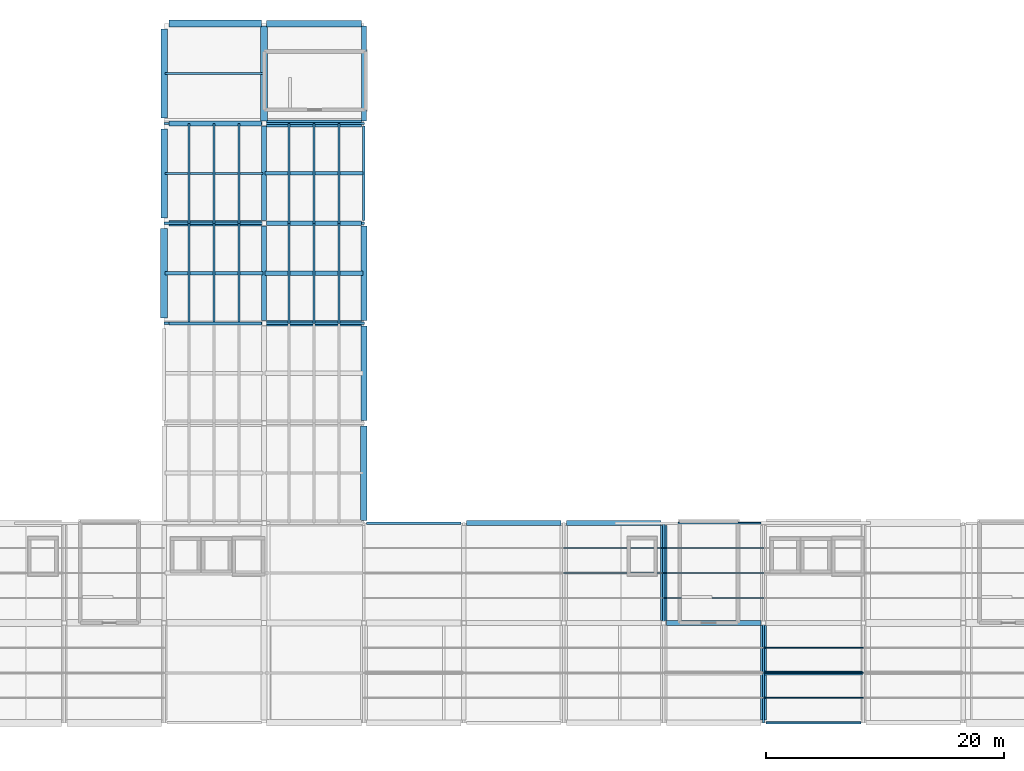
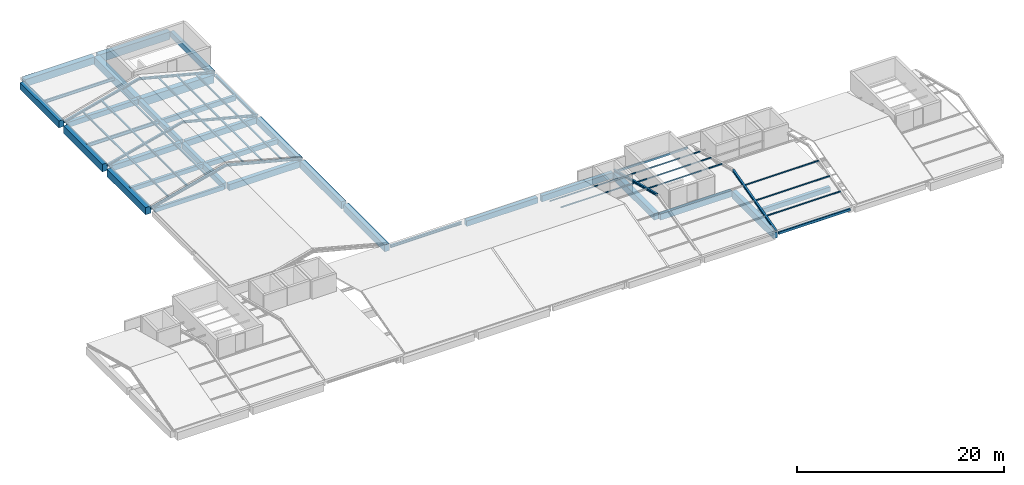
# One storey, part 3 of 17: 33 beams, 28 members.
"""IFC4 building model written with IfcOpenShell, lengths in metres."""

from ifc_helpers import new_model, si_unit, derived_unit, direction, frame, origin, origin_2d, place, context, subcontext, project, spatial, rectangle, hollow_rectangle, i_section, extrude, material, material_profile, profile_set, type_object, element, save


model = new_model("IFC4")

# Units and contexts
model_context = context("Model", 3, precision=1e-05, world=origin(), true_north=direction((0.0, 1.0)))
body_context = subcontext(model_context, "Body", "Model", "MODEL_VIEW")
ifc_project = project(units=[si_unit("LENGTHUNIT", "METRE"), si_unit("AREAUNIT", "SQUARE_METRE"), si_unit("VOLUMEUNIT", "CUBIC_METRE"), si_unit("PLANEANGLEUNIT", "RADIAN"), si_unit("MASSUNIT", "GRAM", prefix="KILO"), derived_unit("THERMALTRANSMITTANCEUNIT", [(si_unit("POWERUNIT", "WATT"), 1), (si_unit("LENGTHUNIT", "METRE"), -2), (si_unit("THERMODYNAMICTEMPERATUREUNIT", "KELVIN"), -1)])], contexts=[model_context])

# Site, building, storey
site_placement = place(None, origin())
site = spatial("IfcSite", under=ifc_project, at=site_placement, CompositionType="ELEMENT")
building_placement = place(site_placement, origin())
building = spatial("IfcBuilding", under=site, at=building_placement, Name="Barrovel Congress Hotel", CompositionType="ELEMENT")
storey_placement = place(building_placement, frame((0.0, 0.0, 47.10009765625)))
storey = spatial("IfcBuildingStorey", under=building, at=storey_placement, Name="RF", CompositionType="ELEMENT", Elevation=47.10009765625)

# Beams
ifc_material_1 = material(Name="Concrete C40", Category="concrete")
ifc_material_profile_1 = material_profile(ifc_material_1, rectangle(XDim=0.25, YDim=0.5, at=origin_2d()), Name="RC250x500")
ifc_profile_set_1 = profile_set([ifc_material_profile_1], Name="Concrete C40")
beam_type_1 = type_object("IfcBeamType", Name="BM-RC250x500", PredefinedType="SPANDREL", material=ifc_profile_set_1)
beam_1_placement = place(storey_placement, frame((34.0, 37.800048828125, -0.489990234375), z_axis=(1.0, 0.0, 0.0), x_axis=(0.0, 1.0, 0.0)))
element("IfcBeam", 1, at=beam_1_placement, inside=storey, type_object=beam_type_1, Name="BMX:RF:37.8:33.6-42.0", PredefinedType="SPANDREL", context=body_context, shape_type="SweptSolid", body=[
    extrude(rectangle(XDim=0.25, YDim=0.5, at=origin_2d()), origin(), (0.0, 0.0, 1.0), 7.77490234375),
])
ifc_material_profile_2 = material_profile(ifc_material_1, rectangle(XDim=0.300048828125, YDim=0.5, at=origin_2d()), Name="RC300x500")
ifc_profile_set_2 = profile_set([ifc_material_profile_2], Name="Concrete C40")
beam_type_2 = type_object("IfcBeamType", Name="BM-RC300x500", PredefinedType="JOIST", material=ifc_profile_set_2)
beam_2_placement = place(storey_placement, frame((33.679931640625, 42.0, -0.489990234375), z_axis=(1.0, 0.0, 0.0), x_axis=(0.0, 1.0, 0.0)))
element("IfcBeam", 2, at=beam_2_placement, inside=storey, type_object=beam_type_2, Name="JST:RF:33.6:42.0", PredefinedType="JOIST", context=body_context, shape_type="SweptSolid", body=[
    extrude(rectangle(XDim=0.300048828125, YDim=0.5, at=origin_2d()), origin(), (0.0, 0.0, 1.0), 8.239990234375),
])
ifc_material_profile_3 = material_profile(ifc_material_1, rectangle(XDim=0.300048828125, YDim=0.60009765625, at=origin_2d()), Name="RC300x600")
ifc_profile_set_3 = profile_set([ifc_material_profile_3], Name="Concrete C40")
beam_type_3 = type_object("IfcBeamType", Name="BM-RC300x600", PredefinedType="JOIST", material=ifc_profile_set_3)
beam_3_placement = place(storey_placement, frame((42.080078125, 50.39990234375, -0.5400390625), z_axis=(1.0, 0.0, 0.0), x_axis=(0.0, 1.0, 0.0)))
element("IfcBeam", 3, at=beam_3_placement, inside=storey, type_object=beam_type_3, Name="JST:RF:42.0:50.4", PredefinedType="JOIST", context=body_context, shape_type="SweptSolid", body=[
    extrude(rectangle(XDim=0.300048828125, YDim=0.60009765625, at=origin_2d()), origin(), (0.0, 0.0, 1.0), 8.239990234375),
])
ifc_material_profile_4 = material_profile(ifc_material_1, rectangle(XDim=0.35009765625, YDim=0.550048828125, at=origin_2d()), Name="RC350x550")
ifc_profile_set_4 = profile_set([ifc_material_profile_4], Name="Concrete C40")
beam_type_4 = type_object("IfcBeamType", Name="BM-RC350x550", PredefinedType="JOIST", material=ifc_profile_set_4)
for number, where, z_axis, x_axis, name in (
    (4, (42.080078125, 42.0, -0.51513671875), (1.0, 0.0, 0.0), (0.0, 1.0, 0.0), "JST:RF:42.0:42.0"),
    (5, (84.080078125, 8.39990234375, -0.51513671875), (1.0, 0.0, 0.0), (0.0, 1.0, 0.0), "JST:RF:84.0:8.4"),
):
    element("IfcBeam", number, at=place(storey_placement, frame(where, z_axis=z_axis, x_axis=x_axis)), inside=storey, type_object=beam_type_4, Name=name, PredefinedType="JOIST", context=body_context, shape_type="SweptSolid", body=[
        extrude(rectangle(XDim=0.35009765625, YDim=0.550048828125, at=origin_2d()), origin(), (0.0, 0.0, 1.0), 8.239990234375),
    ])
ifc_material_profile_5 = material_profile(ifc_material_1, rectangle(XDim=0.39990234375, YDim=0.60009765625, at=origin_2d()), Name="RC400x600")
ifc_profile_set_5 = profile_set([ifc_material_profile_5], Name="Concrete C40")
beam_type_5 = type_object("IfcBeamType", Name="BM-RC400x600", PredefinedType="BEAM", material=ifc_profile_set_5)
beam_4_placement = place(storey_placement, frame((34.0, 54.60009765625, -0.5400390625), z_axis=(1.0, 0.0, 0.0), x_axis=(0.0, 1.0, 0.0)))
element("IfcBeam", 6, at=beam_4_placement, inside=storey, type_object=beam_type_5, Name="BMX:RF:54.6:33.6-42.0", PredefinedType="BEAM", context=body_context, shape_type="SweptSolid", body=[
    extrude(rectangle(XDim=0.39990234375, YDim=0.60009765625, at=origin_2d()), origin(), (0.0, 0.0, 1.0), 7.77490234375),
])
beam_5_placement = place(storey_placement, frame((42.0, 46.425048828125, -0.5400390625), z_axis=(0.0, 1.0, 0.0), x_axis=(-1.0, 0.0, 0.0)))
element("IfcBeam", 7, at=beam_5_placement, inside=storey, type_object=beam_type_5, Name="BMY:RF:42.0:46.2-54.6", PredefinedType="BEAM", context=body_context, shape_type="SweptSolid", body=[
    extrude(rectangle(XDim=0.39990234375, YDim=0.60009765625, at=origin_2d()), origin(), (0.0, 0.0, 1.0), 7.949951171875),
])
ifc_material_profile_6 = material_profile(ifc_material_1, rectangle(XDim=0.39990234375, YDim=0.699951171875, at=origin_2d()), Name="RC400x700")
ifc_profile_set_6 = profile_set([ifc_material_profile_6], Name="Concrete C40")
beam_type_6 = type_object("IfcBeamType", Name="BM-RC400x700", PredefinedType="BEAM", material=ifc_profile_set_6)
for number, where, z_axis, x_axis, name in (
    (8, (75.824951171875, 12.60009765625, -0.590087890625), (1.0, 0.0, 0.0), (0.0, 1.0, 0.0), "BMX:RF:12.6:75.6-84.0"),
    (9, (67.425048828125, 21.0, -0.590087890625), (1.0, 0.0, 0.0), (0.0, 1.0, 0.0), "BMX:RF:21.0:67.2-75.6"),
    (10, (42.22509765625, 46.199951171875, -0.590087890625), (1.0, 0.0, 0.0), (0.0, 1.0, 0.0), "BMX:RF:46.2:42.0-50.4"),
):
    element("IfcBeam", number, at=place(storey_placement, frame(where, z_axis=z_axis, x_axis=x_axis)), inside=storey, type_object=beam_type_6, Name=name, PredefinedType="BEAM", context=body_context, shape_type="SweptSolid", body=[
        extrude(rectangle(XDim=0.39990234375, YDim=0.699951171875, at=origin_2d()), origin(), (0.0, 0.0, 1.0), 7.949951171875),
    ])
beam_6_placement = place(storey_placement, frame((42.0, 38.02490234375, -0.590087890625), z_axis=(0.0, 1.0, 0.0), x_axis=(-1.0, 0.0, 0.0)))
element("IfcBeam", 11, at=beam_6_placement, inside=storey, type_object=beam_type_6, Name="BMY:RF:42.0:37.8-46.2", PredefinedType="BEAM", context=body_context, shape_type="SweptSolid", body=[
    extrude(rectangle(XDim=0.39990234375, YDim=0.699951171875, at=origin_2d()), origin(), (0.0, 0.0, 1.0), 7.9501953125),
])
ifc_material_profile_7 = material_profile(ifc_material_1, rectangle(XDim=0.449951171875, YDim=0.64990234375, at=origin_2d()), Name="RC450x650")
ifc_profile_set_7 = profile_set([ifc_material_profile_7], Name="Concrete C40")
beam_type_7 = type_object("IfcBeamType", Name="BM-RC450x650", PredefinedType="BEAM", material=ifc_profile_set_7)
beam_7_placement = place(storey_placement, frame((59.02490234375, 21.0, -0.565185546875), z_axis=(1.0, 0.0, 0.0), x_axis=(0.0, 1.0, 0.0)))
element("IfcBeam", 12, at=beam_7_placement, inside=storey, type_object=beam_type_7, Name="BMX:RF:21.0:58.8-67.2", PredefinedType="BEAM", context=body_context, shape_type="SweptSolid", body=[
    extrude(rectangle(XDim=0.449951171875, YDim=0.64990234375, at=origin_2d()), origin(), (0.0, 0.0, 1.0), 7.9501953125),
])
beam_8_placement = place(storey_placement, frame((34.0, 46.199951171875, -0.565185546875), z_axis=(1.0, 0.0, 0.0), x_axis=(0.0, 1.0, 0.0)))
element("IfcBeam", 13, at=beam_8_placement, inside=storey, type_object=beam_type_7, Name="BMX:RF:46.2:33.6-42.0", PredefinedType="BEAM", context=body_context, shape_type="SweptSolid", body=[
    extrude(rectangle(XDim=0.449951171875, YDim=0.64990234375, at=origin_2d()), origin(), (0.0, 0.0, 1.0), 7.77490234375),
])
beam_9_placement = place(storey_placement, frame((50.39990234375, 54.824951171875, -0.565185546875), z_axis=(0.0, 1.0, 0.0), x_axis=(-1.0, 0.0, 0.0)))
element("IfcBeam", 14, at=beam_9_placement, inside=storey, type_object=beam_type_7, Name="BMY:RF:50.4:54.6-63.0", PredefinedType="BEAM", context=body_context, shape_type="SweptSolid", body=[
    extrude(rectangle(XDim=0.449951171875, YDim=0.64990234375, at=origin_2d()), origin(), (0.0, 0.0, 1.0), 7.949951171875),
])
ifc_material_profile_8 = material_profile(ifc_material_1, rectangle(XDim=0.449951171875, YDim=0.75, at=origin_2d()), Name="RC450x750")
ifc_profile_set_8 = profile_set([ifc_material_profile_8], Name="Concrete C40")
beam_type_8 = type_object("IfcBeamType", Name="BM-RC450x750", PredefinedType="BEAM", material=ifc_profile_set_8)
beam_10_placement = place(storey_placement, frame((42.22509765625, 37.800048828125, -0.614990234375), z_axis=(1.0, 0.0, 0.0), x_axis=(0.0, 1.0, 0.0)))
element("IfcBeam", 15, at=beam_10_placement, inside=storey, type_object=beam_type_8, Name="BMX:RF:37.8:42.0-50.4", PredefinedType="BEAM", context=body_context, shape_type="SweptSolid", body=[
    extrude(rectangle(XDim=0.449951171875, YDim=0.75, at=origin_2d()), origin(), (0.0, 0.0, 1.0), 7.949951171875),
])
ifc_material_profile_9 = material_profile(ifc_material_1, rectangle(XDim=0.5, YDim=0.75, at=origin_2d()), Name="RC500x750")
ifc_profile_set_9 = profile_set([ifc_material_profile_9], Name="Concrete C40")
beam_type_9 = type_object("IfcBeamType", Name="BM-RC500x750", PredefinedType="BEAM", material=ifc_profile_set_9)
beam_11_placement = place(storey_placement, frame((50.39990234375, 38.02490234375, -0.614990234375), z_axis=(0.0, 1.0, 0.0), x_axis=(-1.0, 0.0, 0.0)))
element("IfcBeam", 16, at=beam_11_placement, inside=storey, type_object=beam_type_9, Name="BMY:RF:50.4:37.8-46.2", PredefinedType="BEAM", context=body_context, shape_type="SweptSolid", body=[
    extrude(rectangle(XDim=0.5, YDim=0.75, at=origin_2d()), origin(), (0.0, 0.0, 1.0), 7.9501953125),
])
ifc_material_profile_10 = material_profile(ifc_material_1, rectangle(XDim=0.5, YDim=0.85009765625, at=origin_2d()), Name="RC500x850")
ifc_profile_set_10 = profile_set([ifc_material_profile_10], Name="Concrete C40")
beam_type_10 = type_object("IfcBeamType", Name="BM-RC500x850", PredefinedType="BEAM", material=ifc_profile_set_10)
for number, where, z_axis, x_axis, name in (
    (17, (50.39990234375, 29.625, -0.6650390625), (0.0, 1.0, 0.0), (-1.0, 0.0, 0.0), "BMY:RF:50.4:29.4-37.8"),
    (18, (84.0, 4.425048828125, -0.6650390625), (0.0, 1.0, 0.0), (-1.0, 0.0, 0.0), "BMY:RF:84.0:4.2-12.6"),
):
    element("IfcBeam", number, at=place(storey_placement, frame(where, z_axis=z_axis, x_axis=x_axis)), inside=storey, type_object=beam_type_10, Name=name, PredefinedType="BEAM", context=body_context, shape_type="SweptSolid", body=[
        extrude(rectangle(XDim=0.5, YDim=0.85009765625, at=origin_2d()), origin(), (0.0, 0.0, 1.0), 7.949951171875),
    ])
ifc_material_profile_11 = material_profile(ifc_material_1, rectangle(XDim=0.550048828125, YDim=0.800048828125, at=origin_2d()), Name="RC550x800")
ifc_profile_set_11 = profile_set([ifc_material_profile_11], Name="Concrete C40")
beam_type_11 = type_object("IfcBeamType", Name="BM-RC550x800", PredefinedType="BEAM", material=ifc_profile_set_11)
beam_12_placement = place(storey_placement, frame((33.60009765625, 55.050048828125, -0.64013671875), z_axis=(0.0, 1.0, 0.0), x_axis=(-1.0, 0.0, 0.0)))
element("IfcBeam", 19, at=beam_12_placement, inside=storey, type_object=beam_type_11, Name="BMY:RF:33.6:54.6-63.0", PredefinedType="BEAM", context=body_context, shape_type="SweptSolid", body=[
    extrude(rectangle(XDim=0.550048828125, YDim=0.800048828125, at=origin_2d()), origin(), (0.0, 0.0, 1.0), 7.5),
])
for number, where, z_axis, x_axis, name in (
    (20, (50.39990234375, 21.22509765625, -0.64013671875), (0.0, 1.0, 0.0), (-1.0, 0.0, 0.0), "BMY:RF:50.4:21.0-29.4"),
    (21, (75.60009765625, 12.824951171875, -0.64013671875), (0.0, 1.0, 0.0), (-1.0, 0.0, 0.0), "BMY:RF:75.6:12.6-21.0"),
):
    element("IfcBeam", number, at=place(storey_placement, frame(where, z_axis=z_axis, x_axis=x_axis)), inside=storey, type_object=beam_type_11, Name=name, PredefinedType="BEAM", context=body_context, shape_type="SweptSolid", body=[
        extrude(rectangle(XDim=0.550048828125, YDim=0.800048828125, at=origin_2d()), origin(), (0.0, 0.0, 1.0), 7.949951171875),
    ])
ifc_material_profile_12 = material_profile(ifc_material_1, rectangle(XDim=0.550048828125, YDim=0.89990234375, at=origin_2d()), Name="RC550x900")
ifc_profile_set_12 = profile_set([ifc_material_profile_12], Name="Concrete C40")
beam_type_12 = type_object("IfcBeamType", Name="BM-RC550x900", PredefinedType="BEAM", material=ifc_profile_set_12)
beam_13_placement = place(storey_placement, frame((42.22509765625, 63.0, -0.690185546875), z_axis=(1.0, 0.0, 0.0), x_axis=(0.0, 1.0, 0.0)))
element("IfcBeam", 22, at=beam_13_placement, inside=storey, type_object=beam_type_12, Name="BMX:RF:63.0:42.0-50.4", PredefinedType="BEAM", context=body_context, shape_type="SweptSolid", body=[
    extrude(rectangle(XDim=0.550048828125, YDim=0.89990234375, at=origin_2d()), origin(), (0.0, 0.0, 1.0), 7.949951171875),
])
beam_14_placement = place(storey_placement, frame((33.60009765625, 46.64990234375, -0.690185546875), z_axis=(0.0, 1.0, 0.0), x_axis=(-1.0, 0.0, 0.0)))
element("IfcBeam", 23, at=beam_14_placement, inside=storey, type_object=beam_type_12, Name="BMY:RF:33.6:46.2-54.6", PredefinedType="BEAM", context=body_context, shape_type="SweptSolid", body=[
    extrude(rectangle(XDim=0.550048828125, YDim=0.89990234375, at=origin_2d()), origin(), (0.0, 0.0, 1.0), 7.5),
])
ifc_material_profile_13 = material_profile(ifc_material_1, rectangle(XDim=0.60009765625, YDim=0.85009765625, at=origin_2d()), Name="RC600x850")
ifc_profile_set_13 = profile_set([ifc_material_profile_13], Name="Concrete C40")
beam_type_13 = type_object("IfcBeamType", Name="BM-RC600x850", PredefinedType="BEAM", material=ifc_profile_set_13)
beam_15_placement = place(storey_placement, frame((34.0, 63.0, -0.6650390625), z_axis=(1.0, 0.0, 0.0), x_axis=(0.0, 1.0, 0.0)))
element("IfcBeam", 24, at=beam_15_placement, inside=storey, type_object=beam_type_13, Name="BMX:RF:63.0:33.6-42.0", PredefinedType="BEAM", context=body_context, shape_type="SweptSolid", body=[
    extrude(rectangle(XDim=0.60009765625, YDim=0.85009765625, at=origin_2d()), origin(), (0.0, 0.0, 1.0), 7.77490234375),
])
beam_16_placement = place(storey_placement, frame((33.60009765625, 38.25, -0.6650390625), z_axis=(0.0, 1.0, 0.0), x_axis=(-1.0, 0.0, 0.0)))
element("IfcBeam", 25, at=beam_16_placement, inside=storey, type_object=beam_type_13, Name="BMY:RF:33.6:37.8-46.2", PredefinedType="BEAM", context=body_context, shape_type="SweptSolid", body=[
    extrude(rectangle(XDim=0.60009765625, YDim=0.85009765625, at=origin_2d()), origin(), (0.0, 0.0, 1.0), 7.5),
])
ifc_material_profile_14 = material_profile(ifc_material_1, rectangle(XDim=0.60009765625, YDim=0.949951171875, at=origin_2d()), Name="RC600x950")
ifc_profile_set_14 = profile_set([ifc_material_profile_14], Name="Concrete C40")
beam_type_14 = type_object("IfcBeamType", Name="BM-RC600x950", PredefinedType="BEAM", material=ifc_profile_set_14)
for number, where, z_axis, x_axis, name in (
    (26, (42.22509765625, 54.60009765625, -0.715087890625), (1.0, 0.0, 0.0), (0.0, 1.0, 0.0), "BMX:RF:54.6:42.0-50.4"),
    (27, (42.0, 54.824951171875, -0.715087890625), (0.0, 1.0, 0.0), (-1.0, 0.0, 0.0), "BMY:RF:42.0:54.6-63.0"),
):
    element("IfcBeam", number, at=place(storey_placement, frame(where, z_axis=z_axis, x_axis=x_axis)), inside=storey, type_object=beam_type_14, Name=name, PredefinedType="BEAM", context=body_context, shape_type="SweptSolid", body=[
        extrude(rectangle(XDim=0.60009765625, YDim=0.949951171875, at=origin_2d()), origin(), (0.0, 0.0, 1.0), 7.949951171875),
    ])

# Members
ifc_material_2 = material(Name="Steel ASTM A500 Grade C", Category="steel")
ifc_material_profile_15 = material_profile(ifc_material_2, hollow_rectangle(XDim=0.076171875, YDim=0.15234375, WallThickness=0.005859375, InnerFilletRadius=0.005859375, OuterFilletRadius=0.01171875, at=origin_2d()), Name="HSS152x76x6.4")
ifc_profile_set_15 = profile_set([ifc_material_profile_15], Name="Steel ASTM A500 Grade C")
member_type_1 = type_object("IfcMemberType", Name="MEM-HSS152x76x6.4", PredefinedType="STRINGER", material=ifc_profile_set_15)
for number, where, z_axis, x_axis, name in (
    (28, (84.0, 6.300048828125, 0.3876953125), (1.0, 0.0, 0.0), (0.0, 1.0, 0.0), "RF-PUR:6.3:84.0"),
    (29, (84.0, 8.39990234375, 0.92529296875), (1.0, 0.0, 0.0), (0.0, 1.0, 0.0), "RF-PUR:8.4:84.0"),
    (30, (84.0, 10.5, 1.462890625), (1.0, 0.0, 0.0), (0.0, 1.0, 0.0), "RF-PUR:10.5:84.0"),
    (31, (75.60009765625, 14.699951171875, 1.462890625), (1.0, 0.0, 0.0), (0.0, 1.0, 0.0), "RF-PUR:14.7:75.6"),
):
    element("IfcMember", number, at=place(storey_placement, frame(where, z_axis=z_axis, x_axis=x_axis)), inside=storey, type_object=member_type_1, Name=name, PredefinedType="STRINGER", context=body_context, shape_type="SweptSolid", body=[
        extrude(hollow_rectangle(XDim=0.076171875, YDim=0.15234375, WallThickness=0.005859375, InnerFilletRadius=0.005859375, OuterFilletRadius=0.01171875, at=origin_2d()), origin(), (0.0, 0.0, 1.0), 8.39990234375),
    ])
member_1_placement = place(storey_placement, frame((67.199951171875, 16.800048828125, 0.92529296875), z_axis=(1.0, 0.0, 0.0), x_axis=(0.0, 1.0, 0.0)))
element("IfcMember", 32, at=member_1_placement, inside=storey, type_object=member_type_1, Name="RF-PUR:16.8:67.2", PredefinedType="STRINGER", context=body_context, shape_type="SweptSolid", body=[
    extrude(hollow_rectangle(XDim=0.076171875, YDim=0.15234375, WallThickness=0.005859375, InnerFilletRadius=0.005859375, OuterFilletRadius=0.01171875, at=origin_2d()), origin(), (0.0, 0.0, 1.0), 8.400146484375),
])
member_2_placement = place(storey_placement, frame((75.60009765625, 16.800048828125, 0.92529296875), z_axis=(1.0, 0.0, 0.0), x_axis=(0.0, 1.0, 0.0)))
element("IfcMember", 33, at=member_2_placement, inside=storey, type_object=member_type_1, Name="RF-PUR:16.8:75.6", PredefinedType="STRINGER", context=body_context, shape_type="SweptSolid", body=[
    extrude(hollow_rectangle(XDim=0.076171875, YDim=0.15234375, WallThickness=0.005859375, InnerFilletRadius=0.005859375, OuterFilletRadius=0.01171875, at=origin_2d()), origin(), (0.0, 0.0, 1.0), 8.39990234375),
])
member_3_placement = place(storey_placement, frame((67.199951171875, 18.89990234375, 0.3876953125), z_axis=(1.0, 0.0, 0.0), x_axis=(0.0, 1.0, 0.0)))
element("IfcMember", 34, at=member_3_placement, inside=storey, type_object=member_type_1, Name="RF-PUR:18.9:67.2", PredefinedType="STRINGER", context=body_context, shape_type="SweptSolid", body=[
    extrude(hollow_rectangle(XDim=0.076171875, YDim=0.15234375, WallThickness=0.005859375, InnerFilletRadius=0.005859375, OuterFilletRadius=0.01171875, at=origin_2d()), origin(), (0.0, 0.0, 1.0), 8.400146484375),
])
member_4_placement = place(storey_placement, frame((75.60009765625, 18.89990234375, 0.3876953125), z_axis=(1.0, 0.0, 0.0), x_axis=(0.0, 1.0, 0.0)))
element("IfcMember", 35, at=member_4_placement, inside=storey, type_object=member_type_1, Name="RF-PUR:18.9:75.6", PredefinedType="STRINGER", context=body_context, shape_type="SweptSolid", body=[
    extrude(hollow_rectangle(XDim=0.076171875, YDim=0.15234375, WallThickness=0.005859375, InnerFilletRadius=0.005859375, OuterFilletRadius=0.01171875, at=origin_2d()), origin(), (0.0, 0.0, 1.0), 8.39990234375),
])
ifc_material_3 = material(Name="Steel ASTM A992 Grade 50", Category="steel")
ifc_material_profile_16 = material_profile(ifc_material_3, i_section(OverallWidth=0.152099609375, OverallDepth=0.152099609375, WebThickness=0.005859375, FlangeThickness=0.006591796875, FilletRadius=0.009033203125, at=origin_2d()), Name="W150x22.5")
ifc_profile_set_16 = profile_set([ifc_material_profile_16], Name="Steel ASTM A992 Grade 50")
member_type_2 = type_object("IfcMemberType", Name="MEM-W150x22.5", PredefinedType="STRINGER", material=ifc_profile_set_16)
member_5_placement = place(storey_placement, frame((35.699951171875, 37.800048828125, 0.3876953125), z_axis=(0.0, 1.0, 0.0), x_axis=(-1.0, 0.0, 0.0)))
element("IfcMember", 36, at=member_5_placement, inside=storey, type_object=member_type_2, Name="RF-WPUR:35.7:37.8", PredefinedType="STRINGER", context=body_context, shape_type="SweptSolid", body=[
    extrude(i_section(OverallWidth=0.152099609375, OverallDepth=0.152099609375, WebThickness=0.005859375, FlangeThickness=0.006591796875, FilletRadius=0.009033203125, at=origin_2d()), origin(), (0.0, 0.0, 1.0), 8.39990234375),
])
member_6_placement = place(storey_placement, frame((35.699951171875, 46.199951171875, 0.3876953125), z_axis=(0.0, 1.0, 0.0), x_axis=(-1.0, 0.0, 0.0)))
element("IfcMember", 37, at=member_6_placement, inside=storey, type_object=member_type_2, Name="RF-WPUR:35.7:46.2", PredefinedType="STRINGER", context=body_context, shape_type="SweptSolid", body=[
    extrude(i_section(OverallWidth=0.152099609375, OverallDepth=0.152099609375, WebThickness=0.005859375, FlangeThickness=0.006591796875, FilletRadius=0.009033203125, at=origin_2d()), origin(), (0.0, 0.0, 1.0), 8.400146484375),
])
member_7_placement = place(storey_placement, frame((37.800048828125, 37.800048828125, 0.92529296875), z_axis=(0.0, 1.0, 0.0), x_axis=(-1.0, 0.0, 0.0)))
element("IfcMember", 38, at=member_7_placement, inside=storey, type_object=member_type_2, Name="RF-WPUR:37.8:37.8", PredefinedType="STRINGER", context=body_context, shape_type="SweptSolid", body=[
    extrude(i_section(OverallWidth=0.152099609375, OverallDepth=0.152099609375, WebThickness=0.005859375, FlangeThickness=0.006591796875, FilletRadius=0.009033203125, at=origin_2d()), origin(), (0.0, 0.0, 1.0), 8.39990234375),
])
member_8_placement = place(storey_placement, frame((37.800048828125, 46.199951171875, 0.92529296875), z_axis=(0.0, 1.0, 0.0), x_axis=(-1.0, 0.0, 0.0)))
element("IfcMember", 39, at=member_8_placement, inside=storey, type_object=member_type_2, Name="RF-WPUR:37.8:46.2", PredefinedType="STRINGER", context=body_context, shape_type="SweptSolid", body=[
    extrude(i_section(OverallWidth=0.152099609375, OverallDepth=0.152099609375, WebThickness=0.005859375, FlangeThickness=0.006591796875, FilletRadius=0.009033203125, at=origin_2d()), origin(), (0.0, 0.0, 1.0), 8.400146484375),
])
member_9_placement = place(storey_placement, frame((39.89990234375, 37.800048828125, 1.462890625), z_axis=(0.0, 1.0, 0.0), x_axis=(-1.0, 0.0, 0.0)))
element("IfcMember", 40, at=member_9_placement, inside=storey, type_object=member_type_2, Name="RF-WPUR:39.9:37.8", PredefinedType="STRINGER", context=body_context, shape_type="SweptSolid", body=[
    extrude(i_section(OverallWidth=0.152099609375, OverallDepth=0.152099609375, WebThickness=0.005859375, FlangeThickness=0.006591796875, FilletRadius=0.009033203125, at=origin_2d()), origin(), (0.0, 0.0, 1.0), 8.39990234375),
])
member_10_placement = place(storey_placement, frame((39.89990234375, 46.199951171875, 1.462890625), z_axis=(0.0, 1.0, 0.0), x_axis=(-1.0, 0.0, 0.0)))
element("IfcMember", 41, at=member_10_placement, inside=storey, type_object=member_type_2, Name="RF-WPUR:39.9:46.2", PredefinedType="STRINGER", context=body_context, shape_type="SweptSolid", body=[
    extrude(i_section(OverallWidth=0.152099609375, OverallDepth=0.152099609375, WebThickness=0.005859375, FlangeThickness=0.006591796875, FilletRadius=0.009033203125, at=origin_2d()), origin(), (0.0, 0.0, 1.0), 8.400146484375),
])
member_11_placement = place(storey_placement, frame((44.10009765625, 37.800048828125, 1.462890625), z_axis=(0.0, 1.0, 0.0), x_axis=(-1.0, 0.0, 0.0)))
element("IfcMember", 42, at=member_11_placement, inside=storey, type_object=member_type_2, Name="RF-WPUR:44.1:37.8", PredefinedType="STRINGER", context=body_context, shape_type="SweptSolid", body=[
    extrude(i_section(OverallWidth=0.152099609375, OverallDepth=0.152099609375, WebThickness=0.005859375, FlangeThickness=0.006591796875, FilletRadius=0.009033203125, at=origin_2d()), origin(), (0.0, 0.0, 1.0), 8.39990234375),
])
member_12_placement = place(storey_placement, frame((44.10009765625, 46.199951171875, 1.462890625), z_axis=(0.0, 1.0, 0.0), x_axis=(-1.0, 0.0, 0.0)))
element("IfcMember", 43, at=member_12_placement, inside=storey, type_object=member_type_2, Name="RF-WPUR:44.1:46.2", PredefinedType="STRINGER", context=body_context, shape_type="SweptSolid", body=[
    extrude(i_section(OverallWidth=0.152099609375, OverallDepth=0.152099609375, WebThickness=0.005859375, FlangeThickness=0.006591796875, FilletRadius=0.009033203125, at=origin_2d()), origin(), (0.0, 0.0, 1.0), 8.400146484375),
])
member_13_placement = place(storey_placement, frame((46.199951171875, 37.800048828125, 0.92529296875), z_axis=(0.0, 1.0, 0.0), x_axis=(-1.0, 0.0, 0.0)))
element("IfcMember", 44, at=member_13_placement, inside=storey, type_object=member_type_2, Name="RF-WPUR:46.2:37.8", PredefinedType="STRINGER", context=body_context, shape_type="SweptSolid", body=[
    extrude(i_section(OverallWidth=0.152099609375, OverallDepth=0.152099609375, WebThickness=0.005859375, FlangeThickness=0.006591796875, FilletRadius=0.009033203125, at=origin_2d()), origin(), (0.0, 0.0, 1.0), 8.39990234375),
])
member_14_placement = place(storey_placement, frame((46.199951171875, 46.199951171875, 0.92529296875), z_axis=(0.0, 1.0, 0.0), x_axis=(-1.0, 0.0, 0.0)))
element("IfcMember", 45, at=member_14_placement, inside=storey, type_object=member_type_2, Name="RF-WPUR:46.2:46.2", PredefinedType="STRINGER", context=body_context, shape_type="SweptSolid", body=[
    extrude(i_section(OverallWidth=0.152099609375, OverallDepth=0.152099609375, WebThickness=0.005859375, FlangeThickness=0.006591796875, FilletRadius=0.009033203125, at=origin_2d()), origin(), (0.0, 0.0, 1.0), 8.400146484375),
])
member_15_placement = place(storey_placement, frame((48.300048828125, 37.800048828125, 0.3876953125), z_axis=(0.0, 1.0, 0.0), x_axis=(-1.0, 0.0, 0.0)))
element("IfcMember", 46, at=member_15_placement, inside=storey, type_object=member_type_2, Name="RF-WPUR:48.3:37.8", PredefinedType="STRINGER", context=body_context, shape_type="SweptSolid", body=[
    extrude(i_section(OverallWidth=0.152099609375, OverallDepth=0.152099609375, WebThickness=0.005859375, FlangeThickness=0.006591796875, FilletRadius=0.009033203125, at=origin_2d()), origin(), (0.0, 0.0, 1.0), 8.39990234375),
])
member_16_placement = place(storey_placement, frame((48.300048828125, 46.199951171875, 0.3876953125), z_axis=(0.0, 1.0, 0.0), x_axis=(-1.0, 0.0, 0.0)))
element("IfcMember", 47, at=member_16_placement, inside=storey, type_object=member_type_2, Name="RF-WPUR:48.3:46.2", PredefinedType="STRINGER", context=body_context, shape_type="SweptSolid", body=[
    extrude(i_section(OverallWidth=0.152099609375, OverallDepth=0.152099609375, WebThickness=0.005859375, FlangeThickness=0.006591796875, FilletRadius=0.009033203125, at=origin_2d()), origin(), (0.0, 0.0, 1.0), 8.400146484375),
])
ifc_material_profile_17 = material_profile(ifc_material_3, i_section(OverallWidth=0.201904296875, OverallDepth=0.2470703125, WebThickness=0.00732421875, FlangeThickness=0.010986328125, FilletRadius=0.011962890625, at=origin_2d()), Name="W250x49")
ifc_profile_set_17 = profile_set([ifc_material_profile_17], Name="Steel ASTM A992 Grade 50")
member_type_3 = type_object("IfcMemberType", Name="MEM-W250x49", PredefinedType="RAFTER", material=ifc_profile_set_17)
member_17_placement = place(storey_placement, frame((75.60009765625, 12.60009765625, 2.000732421875), z_axis=(0.0, 0.968745451339, -0.248056950134), x_axis=(-1.0, 0.0, 0.0)))
element("IfcMember", 48, at=member_17_placement, inside=storey, type_object=member_type_3, Name="RF-RAF-N:75.6", PredefinedType="RAFTER", context=body_context, shape_type="SweptSolid", body=[
    extrude(i_section(OverallWidth=0.201904296875, OverallDepth=0.2470703125, WebThickness=0.00732421875, FlangeThickness=0.010986328125, FilletRadius=0.011962890625, at=origin_2d()), origin(), (0.0, 0.0, 1.0), 8.6708984375),
])
member_18_placement = place(storey_placement, frame((84.0, 4.199951171875, -0.150146484375), z_axis=(0.0, 0.968747183788, 0.248050184241), x_axis=(-1.0, 0.0, 0.0)))
element("IfcMember", 49, at=member_18_placement, inside=storey, type_object=member_type_3, Name="RF-RAF-S:84.0", PredefinedType="RAFTER", context=body_context, shape_type="SweptSolid", body=[
    extrude(i_section(OverallWidth=0.201904296875, OverallDepth=0.2470703125, WebThickness=0.00732421875, FlangeThickness=0.010986328125, FilletRadius=0.011962890625, at=origin_2d()), origin(), (0.0, 0.0, 1.0), 8.671142578125),
])
for number, where, z_axis, x_axis, name in (
    (50, (33.60009765625, 37.800048828125, -0.150146484375), (0.968745451339, 0.0, 0.248056950134), (0.0, 1.0, 0.0), "RF-WRAF-W:37.8"),
    (51, (42.0, 37.800048828125, 2.000732421875), (0.968745451339, 0.0, -0.248056950134), (0.0, 1.0, 0.0), "RF-WRAF-E:37.8"),
    (52, (33.60009765625, 46.199951171875, -0.150146484375), (0.968745451339, 0.0, 0.248056950134), (0.0, 1.0, 0.0), "RF-WRAF-W:46.2"),
    (53, (42.0, 46.199951171875, 2.000732421875), (0.968745451339, 0.0, -0.248056950134), (0.0, 1.0, 0.0), "RF-WRAF-E:46.2"),
    (54, (33.60009765625, 54.60009765625, -0.150146484375), (0.968745451339, 0.0, 0.248056950134), (0.0, 1.0, 0.0), "RF-WRAF-W:54.6"),
    (55, (42.0, 54.60009765625, 2.000732421875), (0.968745451339, 0.0, -0.248056950134), (0.0, 1.0, 0.0), "RF-WRAF-E:54.6"),
):
    element("IfcMember", number, at=place(storey_placement, frame(where, z_axis=z_axis, x_axis=x_axis)), inside=storey, type_object=member_type_3, Name=name, PredefinedType="RAFTER", context=body_context, shape_type="SweptSolid", body=[
        extrude(i_section(OverallWidth=0.201904296875, OverallDepth=0.2470703125, WebThickness=0.00732421875, FlangeThickness=0.010986328125, FilletRadius=0.011962890625, at=origin_2d()), origin(), (0.0, 0.0, 1.0), 8.6708984375),
    ])

# Beams
ifc_material_profile_18 = material_profile(ifc_material_2, hollow_rectangle(XDim=0.15234375, YDim=0.25390625, WallThickness=0.0087890625, InnerFilletRadius=0.0087890625, OuterFilletRadius=0.017578125, at=origin_2d()), Name="HSS254x152x9.5")
ifc_profile_set_18 = profile_set([ifc_material_profile_18], Name="Steel ASTM A500 Grade C")
beam_type_15 = type_object("IfcBeamType", Name="SBM-HSS254x152x9.5", PredefinedType="SPANDREL", material=ifc_profile_set_18)
beam_17_placement = place(storey_placement, frame((75.824951171875, 21.0, -0.3671875), z_axis=(1.0, 0.0, 0.0), x_axis=(0.0, 1.0, 0.0)))
element("IfcBeam", 56, at=beam_17_placement, inside=storey, type_object=beam_type_15, Name="BMX:RF:21.0:75.6-84.0", PredefinedType="SPANDREL", context=body_context, shape_type="SweptSolid", body=[
    extrude(hollow_rectangle(XDim=0.15234375, YDim=0.25390625, WallThickness=0.0087890625, InnerFilletRadius=0.0087890625, OuterFilletRadius=0.017578125, at=origin_2d()), origin(), (0.0, 0.0, 1.0), 7.949951171875),
])
ifc_material_profile_19 = material_profile(ifc_material_2, hollow_rectangle(XDim=0.203125, YDim=0.3046875, WallThickness=0.01171875, InnerFilletRadius=0.01171875, OuterFilletRadius=0.023681640625, at=origin_2d()), Name="HSS305x203x12.7")
ifc_profile_set_19 = profile_set([ifc_material_profile_19], Name="Steel ASTM A500 Grade C")
beam_type_16 = type_object("IfcBeamType", Name="SBM-HSS305x203x12.7", PredefinedType="SPANDREL", material=ifc_profile_set_19)
beam_18_placement = place(storey_placement, frame((84.22509765625, 4.199951171875, -0.392578125), z_axis=(1.0, 0.0, 0.0), x_axis=(0.0, 1.0, 0.0)))
element("IfcBeam", 57, at=beam_18_placement, inside=storey, type_object=beam_type_16, Name="BMX:RF:4.2:84.0-92.4", PredefinedType="SPANDREL", context=body_context, shape_type="SweptSolid", body=[
    extrude(hollow_rectangle(XDim=0.203125, YDim=0.3046875, WallThickness=0.01171875, InnerFilletRadius=0.01171875, OuterFilletRadius=0.023681640625, at=origin_2d()), origin(), (0.0, 0.0, 1.0), 7.949951171875),
])
ifc_material_profile_20 = material_profile(ifc_material_3, i_section(OverallWidth=0.205078125, OverallDepth=0.31005859375, WebThickness=0.009521484375, FlangeThickness=0.016357421875, FilletRadius=0.012939453125, at=origin_2d()), Name="W310x74")
ifc_profile_set_20 = profile_set([ifc_material_profile_20], Name="Steel ASTM A992 Grade 50")
beam_type_17 = type_object("IfcBeamType", Name="SBM-W310x74", PredefinedType="SPANDREL", material=ifc_profile_set_20)
for number, where, z_axis, x_axis, name in (
    (58, (50.625, 21.0, -0.39501953125), (1.0, 0.0, 0.0), (0.0, 1.0, 0.0), "BMX:RF:21.0:50.4-58.8"),
    (59, (50.39990234375, 46.425048828125, -0.39501953125), (0.0, 1.0, 0.0), (-1.0, 0.0, 0.0), "BMY:RF:50.4:46.2-54.6"),
):
    element("IfcBeam", number, at=place(storey_placement, frame(where, z_axis=z_axis, x_axis=x_axis)), inside=storey, type_object=beam_type_17, Name=name, PredefinedType="SPANDREL", context=body_context, shape_type="SweptSolid", body=[
        extrude(i_section(OverallWidth=0.205078125, OverallDepth=0.31005859375, WebThickness=0.009521484375, FlangeThickness=0.016357421875, FilletRadius=0.012939453125, at=origin_2d()), origin(), (0.0, 0.0, 1.0), 7.949951171875),
    ])
ifc_material_profile_21 = material_profile(ifc_material_3, i_section(OverallWidth=0.172119140625, OverallDepth=0.35791015625, WebThickness=0.0078125, FlangeThickness=0.01318359375, FilletRadius=0.011962890625, at=origin_2d()), Name="W360x57")
ifc_profile_set_21 = profile_set([ifc_material_profile_21], Name="Steel ASTM A992 Grade 50")
beam_type_18 = type_object("IfcBeamType", Name="SBM-W360x57", PredefinedType="JOIST", material=ifc_profile_set_21)
beam_19_placement = place(storey_placement, frame((33.679931640625, 58.800048828125, -0.419189453125), z_axis=(1.0, 0.0, 0.0), x_axis=(0.0, 1.0, 0.0)))
element("IfcBeam", 60, at=beam_19_placement, inside=storey, type_object=beam_type_18, Name="JST:RF:33.6:58.8", PredefinedType="JOIST", context=body_context, shape_type="SweptSolid", body=[
    extrude(i_section(OverallWidth=0.172119140625, OverallDepth=0.35791015625, WebThickness=0.0078125, FlangeThickness=0.01318359375, FilletRadius=0.011962890625, at=origin_2d()), origin(), (0.0, 0.0, 1.0), 8.239990234375),
])
ifc_material_profile_22 = material_profile(ifc_material_3, i_section(OverallWidth=0.177001953125, OverallDepth=0.403076171875, WebThickness=0.007568359375, FlangeThickness=0.010986328125, FilletRadius=0.011962890625, at=origin_2d()), Name="W410x53")
ifc_profile_set_22 = profile_set([ifc_material_profile_22], Name="Steel ASTM A992 Grade 50")
beam_type_19 = type_object("IfcBeamType", Name="SBM-W410x53", PredefinedType="JOIST", material=ifc_profile_set_22)
beam_20_placement = place(storey_placement, frame((33.679931640625, 50.39990234375, -0.441650390625), z_axis=(1.0, 0.0, 0.0), x_axis=(0.0, 1.0, 0.0)))
element("IfcBeam", 61, at=beam_20_placement, inside=storey, type_object=beam_type_19, Name="JST:RF:33.6:50.4", PredefinedType="JOIST", context=body_context, shape_type="SweptSolid", body=[
    extrude(i_section(OverallWidth=0.177001953125, OverallDepth=0.403076171875, WebThickness=0.007568359375, FlangeThickness=0.010986328125, FilletRadius=0.011962890625, at=origin_2d()), origin(), (0.0, 0.0, 1.0), 8.239990234375),
])

save(model, "model.ifc")
